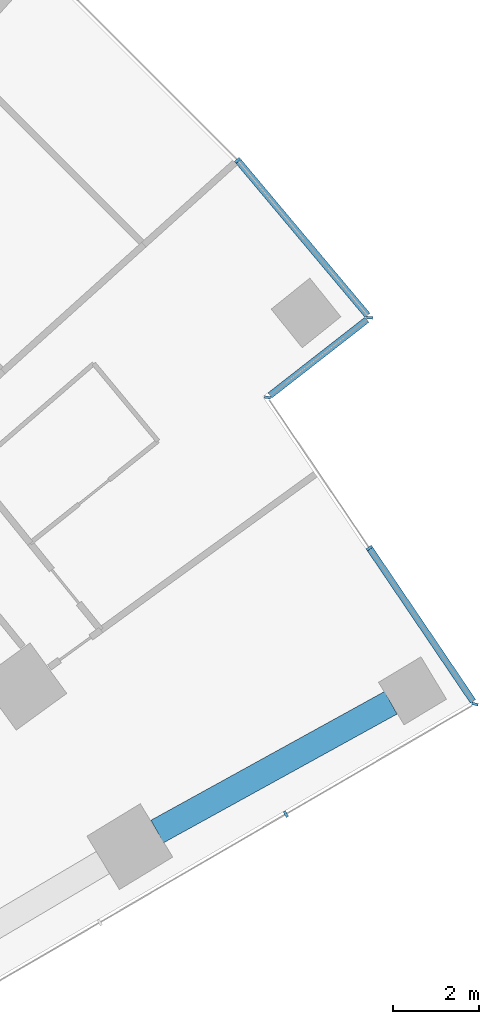
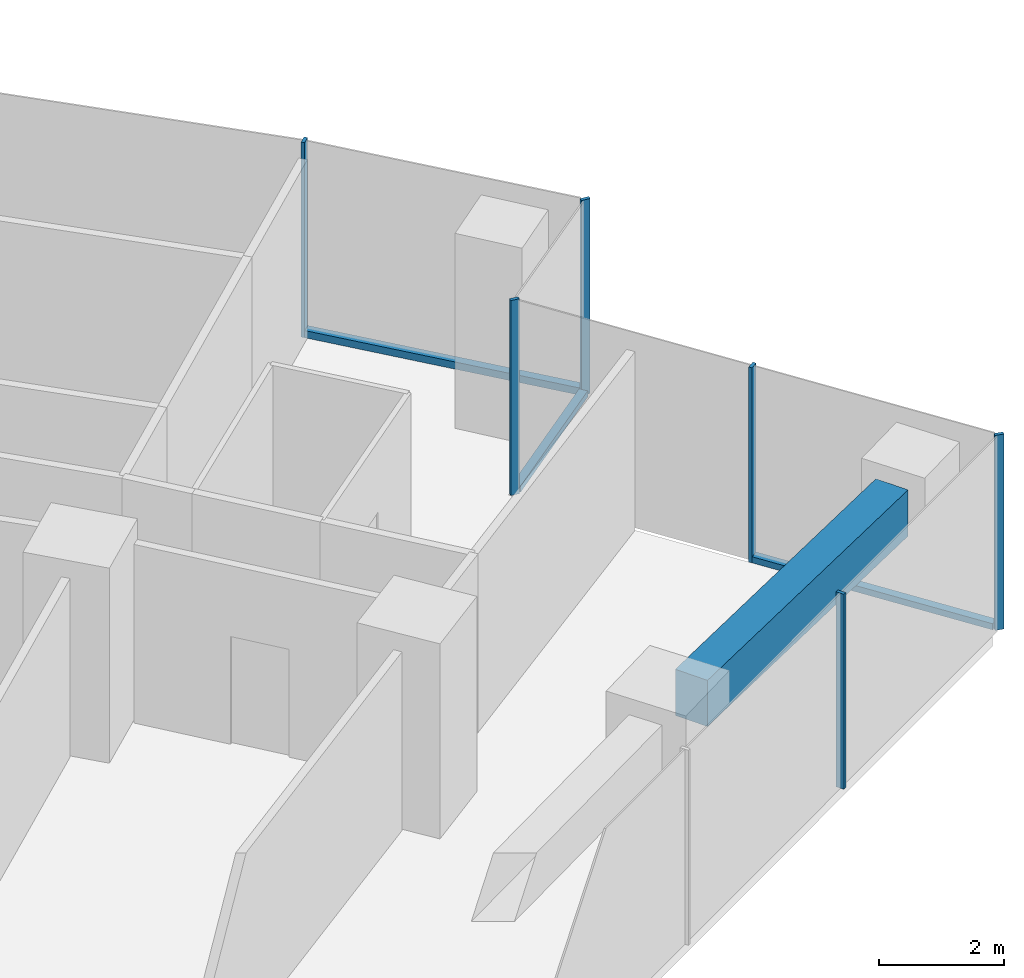
# One storey, part 9 of 20: 9 members, 1 beam, 4 elements without a shape of their own.
"""IFC4 building model written with IfcOpenShell, lengths in metres."""

from ifc_helpers import new_model, si_unit, direction, frame, origin, origin_2d, place, context, subcontext, project, spatial, rectangle, extrude, material, layer, layer_set, material_profile, profile_set, type_object, element, aggregate, save


model = new_model("IFC4")

# Units and contexts
model_context = context("Model", 3, precision=1e-05, world=origin(), true_north=direction((0.0, 1.0)))
body_context = subcontext(model_context, "Body", "Model", "MODEL_VIEW")
ifc_project = project(units=[si_unit("LENGTHUNIT", "METRE"), si_unit("AREAUNIT", "SQUARE_METRE"), si_unit("VOLUMEUNIT", "CUBIC_METRE"), si_unit("PLANEANGLEUNIT", "RADIAN"), si_unit("MASSUNIT", "GRAM", prefix="KILO")], contexts=[model_context])

# Site, building, storey
site_placement = place(None, origin())
site = spatial("IfcSite", under=ifc_project, at=site_placement, CompositionType="ELEMENT")
building_placement = place(site_placement, origin())
building = spatial("IfcBuilding", under=site, at=building_placement, Name="Stone Belt Terrace Tower", CompositionType="ELEMENT")
storey_placement = place(building_placement, frame((0.0, 0.0, 102.199951171875)))
storey = spatial("IfcBuildingStorey", under=building, at=storey_placement, Name="L24", CompositionType="ELEMENT", Elevation=102.199951171875)

# Curtain wall, members
ifc_material_1 = material(Name="Aluminium 6063-T6 anodised frame", Category="aluminium")
ifc_layer_1 = layer(ifc_material_1, 0.14990234375)
ifc_layer_set_1 = layer_set([ifc_layer_1], Name="CW-A unitised convex-face curtain wall")
curtain_wall_type_1 = type_object("IfcCurtainWallType", Name="CW-A unitised convex-face curtain wall", PredefinedType="NOTDEFINED", material=ifc_layer_set_1)
curtain_wall_1_placement = place(storey_placement, origin())
curtain_wall_1 = element("IfcCurtainWall", 1, at=curtain_wall_1_placement, inside=storey, type_object=curtain_wall_type_1, Name="CW-A convex face L24", PredefinedType="NOTDEFINED")
ifc_material_profile_1 = material_profile(ifc_material_1, rectangle(XDim=0.14990234375, YDim=0.06005859375, at=origin_2d()), Name="Aluminium 6063-T6 60x150")
ifc_profile_set_1 = profile_set([ifc_material_profile_1], Name="Aluminium 6063-T6 anodised frame")
member_type_1 = type_object("IfcMemberType", Name="CW-A mullion 60 x 150", PredefinedType="MULLION", material=ifc_profile_set_1)
member_1_placement = place(storey_placement, frame((52.539794921875, 40.89208984375, 0.0), z_axis=(0.0, 0.0, 1.0), x_axis=(-0.994464768622, 0.105070566623, 0.0)))
member_1 = element("IfcMember", 2, at=member_1_placement, type_object=member_type_1, Name="CW-A mullion 1", PredefinedType="MULLION", context=body_context, shape_type="SweptSolid", body=[
    extrude(rectangle(XDim=0.14990234375, YDim=0.06005859375, at=origin_2d()), origin(), (0.0, 0.0, 1.0), 3.800048828125),
])
member_2_placement = place(storey_placement, frame((49.474609375, 44.5478515625, 0.0), z_axis=(0.0, 0.0, 1.0), x_axis=(-0.737400080522, -0.675456231925, 0.0)))
member_2 = element("IfcMember", 3, at=member_2_placement, type_object=member_type_1, Name="CW-A mullion 2", PredefinedType="MULLION", context=body_context, shape_type="SweptSolid", body=[
    extrude(rectangle(XDim=0.14990234375, YDim=0.06005859375, at=origin_2d()), origin(), (0.0, 0.0, 1.0), 3.800048828125),
])
ifc_material_profile_2 = material_profile(ifc_material_1, rectangle(XDim=0.14990234375, YDim=0.139892578125, at=origin_2d()), Name="Aluminium 6063-T6 150x140")
ifc_profile_set_2 = profile_set([ifc_material_profile_2], Name="Aluminium 6063-T6 anodised frame")
member_type_2 = type_object("IfcMemberType", Name="CW-A transom 140 x 150", PredefinedType="USERDEFINED", material=ifc_profile_set_2)
member_3_placement = place(storey_placement, frame((52.49169921875, 40.949462890625, 0.070068359375), z_axis=(-0.642504178028, 0.766282181195, 0.0), x_axis=(-0.766282181195, -0.642504178028, 0.0)))
member_3 = element("IfcMember", 4, at=member_3_placement, type_object=member_type_2, Name="CW-A transom 1.1", ObjectType="TRANSOM", PredefinedType="USERDEFINED", context=body_context, shape_type="SweptSolid", body=[
    extrude(rectangle(XDim=0.14990234375, YDim=0.139892578125, at=origin_2d()), origin(), (0.0, 0.0, 1.0), 4.662841796875),
])
aggregate(curtain_wall_1, [member_1, member_2, member_3])

# Curtain wall, member
ifc_layer_2 = layer(ifc_material_1, 0.14990234375)
ifc_layer_set_2 = layer_set([ifc_layer_2], Name="CW-C stick curtain wall, horn ends and notches")
curtain_wall_type_2 = type_object("IfcCurtainWallType", Name="CW-C stick curtain wall, horn ends and notches", PredefinedType="NOTDEFINED", material=ifc_layer_set_2)
curtain_wall_2_placement = place(storey_placement, origin())
curtain_wall_2 = element("IfcCurtainWall", 5, at=curtain_wall_2_placement, inside=storey, type_object=curtain_wall_type_2, Name="CW-C end face L24", PredefinedType="NOTDEFINED")
ifc_material_profile_3 = material_profile(ifc_material_1, rectangle(XDim=0.14990234375, YDim=0.06005859375, at=origin_2d()), Name="Aluminium 6063-T6 60x150")
ifc_profile_set_3 = profile_set([ifc_material_profile_3], Name="Aluminium 6063-T6 anodised frame")
member_type_3 = type_object("IfcMemberType", Name="CW-C mullion 60 x 150", PredefinedType="MULLION", material=ifc_profile_set_3)
member_4_placement = place(storey_placement, frame((50.595703125, 29.365478515625, 0.0), z_axis=(0.0, 0.0, 1.0), x_axis=(-0.503080901861, 0.864239322284, 0.0)))
member_4 = element("IfcMember", 6, at=member_4_placement, type_object=member_type_3, Name="CW-C mullion 4", PredefinedType="MULLION", context=body_context, shape_type="SweptSolid", body=[
    extrude(rectangle(XDim=0.14990234375, YDim=0.06005859375, at=origin_2d()), origin(), (0.0, 0.0, 1.0), 3.800048828125),
])
aggregate(curtain_wall_2, [member_4])

# Curtain wall, members
curtain_wall_3_placement = place(storey_placement, origin())
curtain_wall_3 = element("IfcCurtainWall", 7, at=curtain_wall_3_placement, inside=storey, type_object=curtain_wall_type_2, Name="CW-C notch face L24", PredefinedType="NOTDEFINED")
member_5_placement = place(storey_placement, frame((54.986328125, 31.921142578125, 0.0), z_axis=(0.0, 0.0, 1.0), x_axis=(-0.974926991266, 0.222524968715, 0.0)))
member_5 = element("IfcMember", 8, at=member_5_placement, type_object=member_type_3, Name="CW-C mullion 1", PredefinedType="MULLION", context=body_context, shape_type="SweptSolid", body=[
    extrude(rectangle(XDim=0.14990234375, YDim=0.06005859375, at=origin_2d()), origin(), (0.0, 0.0, 1.0), 3.800048828125),
])
member_6_placement = place(storey_placement, frame((52.53515625, 35.5439453125, 0.0), z_axis=(0.0, 0.0, 1.0), x_axis=(-0.828244257471, -0.560367245622, 0.0)))
member_6 = element("IfcMember", 9, at=member_6_placement, type_object=member_type_3, Name="CW-C mullion 2", PredefinedType="MULLION", context=body_context, shape_type="SweptSolid", body=[
    extrude(rectangle(XDim=0.14990234375, YDim=0.06005859375, at=origin_2d()), origin(), (0.0, 0.0, 1.0), 3.800048828125),
])

# Curtain wall, member
curtain_wall_4_placement = place(storey_placement, origin())
curtain_wall_4 = element("IfcCurtainWall", 10, at=curtain_wall_4_placement, inside=storey, type_object=curtain_wall_type_2, Name="CW-C notch face L24", PredefinedType="NOTDEFINED")
member_7_placement = place(storey_placement, frame((50.16845703125, 39.0419921875, 0.0), z_axis=(0.0, 0.0, 1.0), x_axis=(-0.987742281651, 0.156093513764, 0.0)))
member_7 = element("IfcMember", 11, at=member_7_placement, type_object=member_type_3, Name="CW-C mullion 1", PredefinedType="MULLION", context=body_context, shape_type="SweptSolid", body=[
    extrude(rectangle(XDim=0.14990234375, YDim=0.06005859375, at=origin_2d()), origin(), (0.0, 0.0, 1.0), 3.800048828125),
])

# Member
ifc_material_profile_4 = material_profile(ifc_material_1, rectangle(XDim=0.14990234375, YDim=0.1201171875, at=origin_2d()), Name="Aluminium 6063-T6 150x120")
ifc_profile_set_4 = profile_set([ifc_material_profile_4], Name="Aluminium 6063-T6 anodised frame")
member_type_4 = type_object("IfcMemberType", Name="CW-C transom 120 x 150", PredefinedType="USERDEFINED", material=ifc_profile_set_4)
member_8_placement = place(storey_placement, frame((54.944091796875, 31.983642578125, 0.06005859375), z_axis=(-0.560388995766, 0.828229541507, 0.0), x_axis=(-0.828229541507, -0.560388995766, 0.0)))
member_8 = element("IfcMember", 12, at=member_8_placement, type_object=member_type_4, Name="CW-C transom 1.1", ObjectType="TRANSOM", PredefinedType="USERDEFINED", context=body_context, shape_type="SweptSolid", body=[
    extrude(rectangle(XDim=0.14990234375, YDim=0.1201171875, at=origin_2d()), origin(), (0.0, 0.0, 1.0), 4.2685546875),
])

aggregate(curtain_wall_3, [member_5, member_6, member_8])

member_9_placement = place(storey_placement, frame((50.22607421875, 39.087158203125, 0.06005859375), z_axis=(0.788505618167, 0.615027552325, 0.0), x_axis=(-0.615027552325, 0.788505618167, 0.0)))
member_9 = element("IfcMember", 13, at=member_9_placement, type_object=member_type_4, Name="CW-C transom 1.1", ObjectType="TRANSOM", PredefinedType="USERDEFINED", context=body_context, shape_type="SweptSolid", body=[
    extrude(rectangle(XDim=0.14990234375, YDim=0.1201171875, at=origin_2d()), origin(), (0.0, 0.0, 1.0), 2.859619140625),
])

aggregate(curtain_wall_4, [member_7, member_9])

# Beam
ifc_material_2 = material(Name="Concrete B60", Category="concrete")
ifc_material_profile_5 = material_profile(ifc_material_2, rectangle(XDim=0.60009765625, YDim=0.89990234375, at=origin_2d()), Name="RC 600x900")
ifc_profile_set_5 = profile_set([ifc_material_profile_5], Name="Concrete B60")
beam_type = type_object("IfcBeamType", Name="Edge beam RC 600x900 B60", PredefinedType="SPANDREL", material=ifc_profile_set_5)
beam_placement = place(storey_placement, frame((47.6083984375, 28.960693359375, 3.030029296875), z_axis=(0.875764462498, 0.482738652094, 0.0), x_axis=(-0.482738652094, 0.875764462498, 0.0)))
element("IfcBeam", 14, at=beam_placement, inside=storey, type_object=beam_type, Name="Edge beam L24 B Q to R", PredefinedType="SPANDREL", context=body_context, shape_type="SweptSolid", body=[
    extrude(rectangle(XDim=0.60009765625, YDim=0.89990234375, at=origin_2d()), origin(), (0.0, 0.0, 1.0), 6.19384765625),
])

save(model, "model.ifc")
